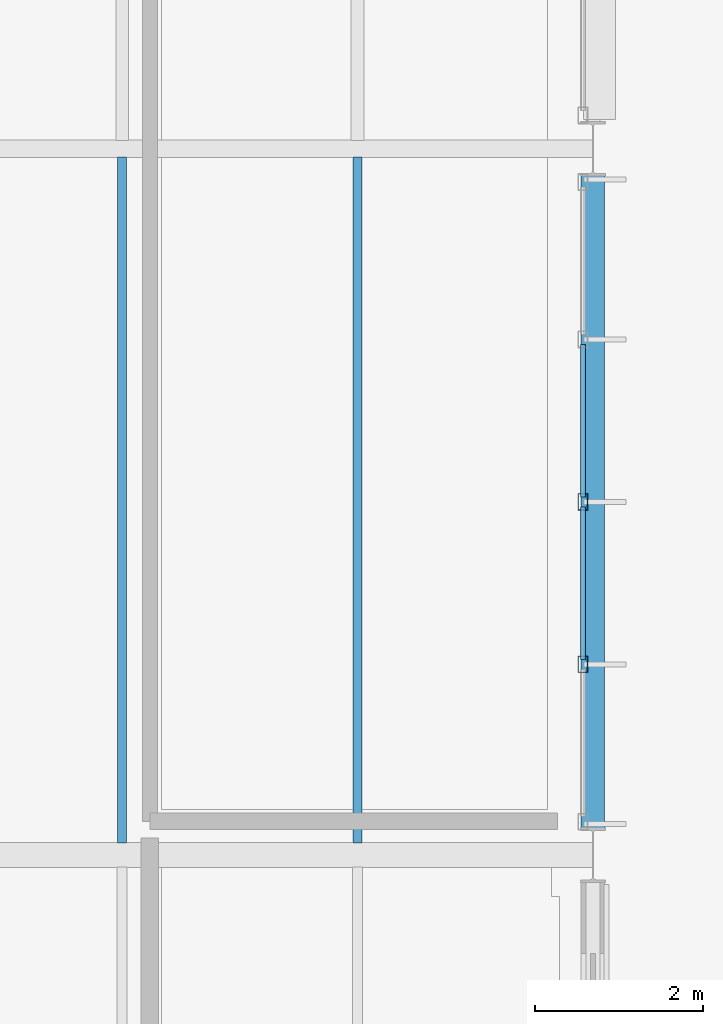
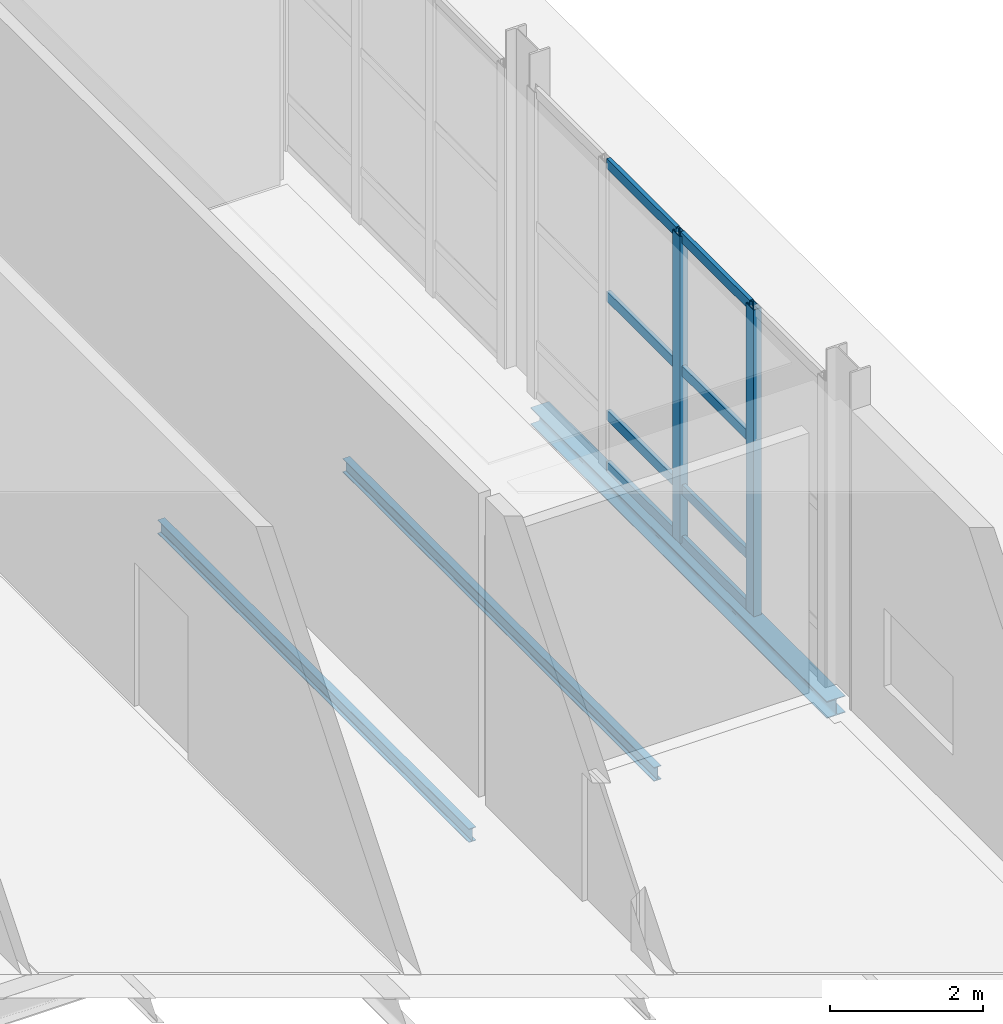
# One storey, part 29 of 124: 10 members, 3 beams, 1 element without a shape of its own.
"""IFC4 building model written with IfcOpenShell, lengths in metres."""

from ifc_helpers import new_model, si_unit, direction, frame, origin, origin_2d, place, context, subcontext, project, spatial, hollow_rectangle, i_section, extrude, material, material_profile, profile_set, type_object, element, aggregate, save


model = new_model("IFC4")

# Units and contexts
model_context = context("Model", 3, precision=1e-05, world=origin(), true_north=direction((0.0, 1.0)))
body_context = subcontext(model_context, "Body", "Model", "MODEL_VIEW")
ifc_project = project(units=[si_unit("LENGTHUNIT", "METRE"), si_unit("AREAUNIT", "SQUARE_METRE"), si_unit("VOLUMEUNIT", "CUBIC_METRE"), si_unit("PLANEANGLEUNIT", "RADIAN"), si_unit("MASSUNIT", "GRAM", prefix="KILO")], contexts=[model_context])

# Site, building, storey
site_placement = place(None, origin())
site = spatial("IfcSite", under=ifc_project, at=site_placement, CompositionType="ELEMENT")
building_placement = place(site_placement, origin())
building = spatial("IfcBuilding", under=site, at=building_placement, Name="Mersafa Astral City Hall", CompositionType="ELEMENT")
storey_placement = place(building_placement, origin())
storey = spatial("IfcBuildingStorey", under=building, at=storey_placement, Name="L00", CompositionType="ELEMENT", Elevation=0.0)

# Curtain wall, members
ifc_material_1 = material(Name="Anodised bronze aluminium framing", Category="aluminium")
curtain_wall_type = type_object("IfcCurtainWallType", Name="ENV-CW-3", PredefinedType="USERDEFINED", material=ifc_material_1)
curtain_wall_placement = place(storey_placement, origin())
curtain_wall = element("IfcCurtainWall", 1, at=curtain_wall_placement, inside=storey, type_object=curtain_wall_type, Name="L00 Unitised solar curtain wall 8", ObjectType="UNITISED CURTAIN WALL", PredefinedType="USERDEFINED")
ifc_material_profile_1 = material_profile(ifc_material_1, hollow_rectangle(XDim=0.1201171875, YDim=0.199951171875, WallThickness=0.008056640625, at=origin_2d()), Name="RHS 120x200x8")
ifc_profile_set_1 = profile_set([ifc_material_profile_1], Name="Anodised bronze aluminium framing")
member_type_1 = type_object("IfcMemberType", Name="ENV-CW-MUL-2", PredefinedType="MULLION", material=ifc_profile_set_1)
member_1_placement = place(storey_placement, frame((117.47998046875, 44.2685546875, -0.001953125), z_axis=(0.0, 0.0, 1.0), x_axis=(-1.0, 0.0, 0.0)))
member_1 = element("IfcMember", 2, at=member_1_placement, type_object=member_type_1, Name="CW-3 mullion 2", PredefinedType="MULLION", context=body_context, shape_type="SweptSolid", body=[
    extrude(hollow_rectangle(XDim=0.1201171875, YDim=0.199951171875, WallThickness=0.008056640625, at=origin_2d()), origin(), (0.0, 0.0, 1.0), 4.904052734375),
])
member_2_placement = place(storey_placement, frame((117.47998046875, 46.199951171875, -0.001953125), z_axis=(0.0, 0.0, 1.0), x_axis=(-1.0, 0.0, 0.0)))
member_2 = element("IfcMember", 3, at=member_2_placement, type_object=member_type_1, Name="CW-3 mullion 3", PredefinedType="MULLION", context=body_context, shape_type="SweptSolid", body=[
    extrude(hollow_rectangle(XDim=0.1201171875, YDim=0.199951171875, WallThickness=0.008056640625, at=origin_2d()), origin(), (0.0, 0.0, 1.0), 4.904052734375),
])
ifc_material_profile_2 = material_profile(ifc_material_1, hollow_rectangle(XDim=0.06005859375, YDim=0.159912109375, WallThickness=0.00390625, at=origin_2d()), Name="RHS 60x160x4")
ifc_profile_set_2 = profile_set([ifc_material_profile_2], Name="Anodised bronze aluminium framing")
member_type_2 = type_object("IfcMemberType", Name="ENV-CW-TRN-2", PredefinedType="USERDEFINED", material=ifc_profile_set_2)
member_3_placement = place(storey_placement, frame((117.47998046875, 44.32861328125, 0.028076171875), z_axis=(0.0, 1.0, 0.0), x_axis=(-1.0, 0.0, 0.0)))
member_3 = element("IfcMember", 4, at=member_3_placement, type_object=member_type_2, Name="CW-3 transom 2.1", ObjectType="TRANSOM", PredefinedType="USERDEFINED", context=body_context, shape_type="SweptSolid", body=[
    extrude(hollow_rectangle(XDim=0.06005859375, YDim=0.159912109375, WallThickness=0.00390625, at=origin_2d()), origin(), (0.0, 0.0, 1.0), 1.811279296875),
])
member_4_placement = place(storey_placement, frame((117.47998046875, 44.32861328125, 0.85009765625), z_axis=(0.0, 1.0, 0.0), x_axis=(-1.0, 0.0, 0.0)))
member_4 = element("IfcMember", 5, at=member_4_placement, type_object=member_type_2, Name="CW-3 transom 2.2", ObjectType="TRANSOM", PredefinedType="USERDEFINED", context=body_context, shape_type="SweptSolid", body=[
    extrude(hollow_rectangle(XDim=0.06005859375, YDim=0.159912109375, WallThickness=0.00390625, at=origin_2d()), origin(), (0.0, 0.0, 1.0), 1.811279296875),
])
member_5_placement = place(storey_placement, frame((117.47998046875, 44.32861328125, 2.75), z_axis=(0.0, 1.0, 0.0), x_axis=(-1.0, 0.0, 0.0)))
member_5 = element("IfcMember", 6, at=member_5_placement, type_object=member_type_2, Name="CW-3 transom 2.3", ObjectType="TRANSOM", PredefinedType="USERDEFINED", context=body_context, shape_type="SweptSolid", body=[
    extrude(hollow_rectangle(XDim=0.06005859375, YDim=0.159912109375, WallThickness=0.00390625, at=origin_2d()), origin(), (0.0, 0.0, 1.0), 1.811279296875),
])
member_6_placement = place(storey_placement, frame((117.47998046875, 44.32861328125, 4.8720703125), z_axis=(0.0, 1.0, 0.0), x_axis=(-1.0, 0.0, 0.0)))
member_6 = element("IfcMember", 7, at=member_6_placement, type_object=member_type_2, Name="CW-3 transom 2.4", ObjectType="TRANSOM", PredefinedType="USERDEFINED", context=body_context, shape_type="SweptSolid", body=[
    extrude(hollow_rectangle(XDim=0.06005859375, YDim=0.159912109375, WallThickness=0.00390625, at=origin_2d()), origin(), (0.0, 0.0, 1.0), 1.811279296875),
])
member_7_placement = place(storey_placement, frame((117.47998046875, 46.260009765625, 0.028076171875), z_axis=(0.0, 1.0, 0.0), x_axis=(-1.0, 0.0, 0.0)))
member_7 = element("IfcMember", 8, at=member_7_placement, type_object=member_type_2, Name="CW-3 transom 3.1", ObjectType="TRANSOM", PredefinedType="USERDEFINED", context=body_context, shape_type="SweptSolid", body=[
    extrude(hollow_rectangle(XDim=0.06005859375, YDim=0.159912109375, WallThickness=0.00390625, at=origin_2d()), origin(), (0.0, 0.0, 1.0), 1.8115234375),
])
member_8_placement = place(storey_placement, frame((117.47998046875, 46.260009765625, 0.85009765625), z_axis=(0.0, 1.0, 0.0), x_axis=(-1.0, 0.0, 0.0)))
member_8 = element("IfcMember", 9, at=member_8_placement, type_object=member_type_2, Name="CW-3 transom 3.2", ObjectType="TRANSOM", PredefinedType="USERDEFINED", context=body_context, shape_type="SweptSolid", body=[
    extrude(hollow_rectangle(XDim=0.06005859375, YDim=0.159912109375, WallThickness=0.00390625, at=origin_2d()), origin(), (0.0, 0.0, 1.0), 1.8115234375),
])
member_9_placement = place(storey_placement, frame((117.47998046875, 46.260009765625, 2.75), z_axis=(0.0, 1.0, 0.0), x_axis=(-1.0, 0.0, 0.0)))
member_9 = element("IfcMember", 10, at=member_9_placement, type_object=member_type_2, Name="CW-3 transom 3.3", ObjectType="TRANSOM", PredefinedType="USERDEFINED", context=body_context, shape_type="SweptSolid", body=[
    extrude(hollow_rectangle(XDim=0.06005859375, YDim=0.159912109375, WallThickness=0.00390625, at=origin_2d()), origin(), (0.0, 0.0, 1.0), 1.8115234375),
])
member_10_placement = place(storey_placement, frame((117.47998046875, 46.260009765625, 4.8720703125), z_axis=(0.0, 1.0, 0.0), x_axis=(-1.0, 0.0, 0.0)))
member_10 = element("IfcMember", 11, at=member_10_placement, type_object=member_type_2, Name="CW-3 transom 3.4", ObjectType="TRANSOM", PredefinedType="USERDEFINED", context=body_context, shape_type="SweptSolid", body=[
    extrude(hollow_rectangle(XDim=0.06005859375, YDim=0.159912109375, WallThickness=0.00390625, at=origin_2d()), origin(), (0.0, 0.0, 1.0), 1.8115234375),
])
aggregate(curtain_wall, [member_1, member_2, member_3, member_4, member_5, member_6, member_7, member_8, member_9, member_10])

# Beams
ifc_material_2 = material(Name="Steel S355", Category="steel")
ifc_material_profile_3 = material_profile(ifc_material_2, i_section(OverallWidth=0.110107421875, OverallDepth=0.219970703125, WebThickness=0.005859375, FlangeThickness=0.00927734375, FilletRadius=0.011962890625, at=origin_2d()), Name="IPE 220")
ifc_profile_set_3 = profile_set([ifc_material_profile_3], Name="Steel S355")
beam_type_1 = type_object("IfcBeamType", Name="STR-BM-JOIST-IPE220", PredefinedType="JOIST", material=ifc_profile_set_3)
for number, where, z_axis, x_axis, name in (
    (12, (112.0, 42.14501953125, -0.360107421875), (0.0, 1.0, 0.0), (-1.0, 0.0, 0.0), "L00 Composite secondary floor joist 118"),
    (13, (114.800048828125, 42.14501953125, -0.360107421875), (0.0, 1.0, 0.0), (-1.0, 0.0, 0.0), "L00 Composite secondary floor joist 119"),
):
    element("IfcBeam", number, at=place(storey_placement, frame(where, z_axis=z_axis, x_axis=x_axis)), inside=storey, type_object=beam_type_1, Name=name, PredefinedType="JOIST", context=body_context, shape_type="SweptSolid", body=[
        extrude(i_section(OverallWidth=0.110107421875, OverallDepth=0.219970703125, WebThickness=0.005859375, FlangeThickness=0.00927734375, FilletRadius=0.011962890625, at=origin_2d()), origin(), (0.0, 0.0, 1.0), 8.155029296875),
    ])
ifc_material_profile_4 = material_profile(ifc_material_2, i_section(OverallWidth=0.280029296875, OverallDepth=0.27001953125, WebThickness=0.008056640625, FlangeThickness=0.012939453125, FilletRadius=0.02392578125, at=origin_2d()), Name="HEA 280")
ifc_profile_set_4 = profile_set([ifc_material_profile_4], Name="Steel S355")
beam_type_2 = type_object("IfcBeamType", Name="STR-BM-SPANDREL-HEA280", PredefinedType="SPANDREL", material=ifc_profile_set_4)
beam_placement = place(storey_placement, frame((117.60009765625, 42.320068359375, -0.385009765625), z_axis=(0.0, 1.0, 0.0), x_axis=(-1.0, 0.0, 0.0)))
element("IfcBeam", 14, at=beam_placement, inside=storey, type_object=beam_type_2, Name="L00 Primary girder Y 14-5", PredefinedType="SPANDREL", context=body_context, shape_type="SweptSolid", body=[
    extrude(i_section(OverallWidth=0.280029296875, OverallDepth=0.27001953125, WebThickness=0.008056640625, FlangeThickness=0.012939453125, FilletRadius=0.02392578125, at=origin_2d()), origin(), (0.0, 0.0, 1.0), 7.760009765625),
])

save(model, "model.ifc")
